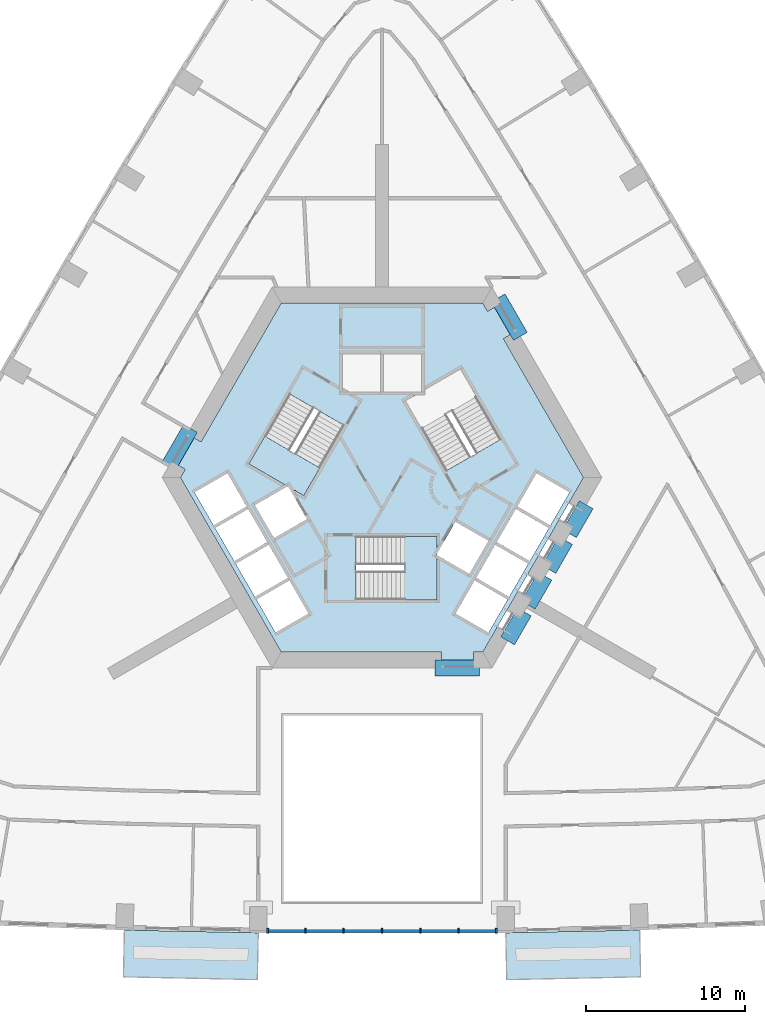
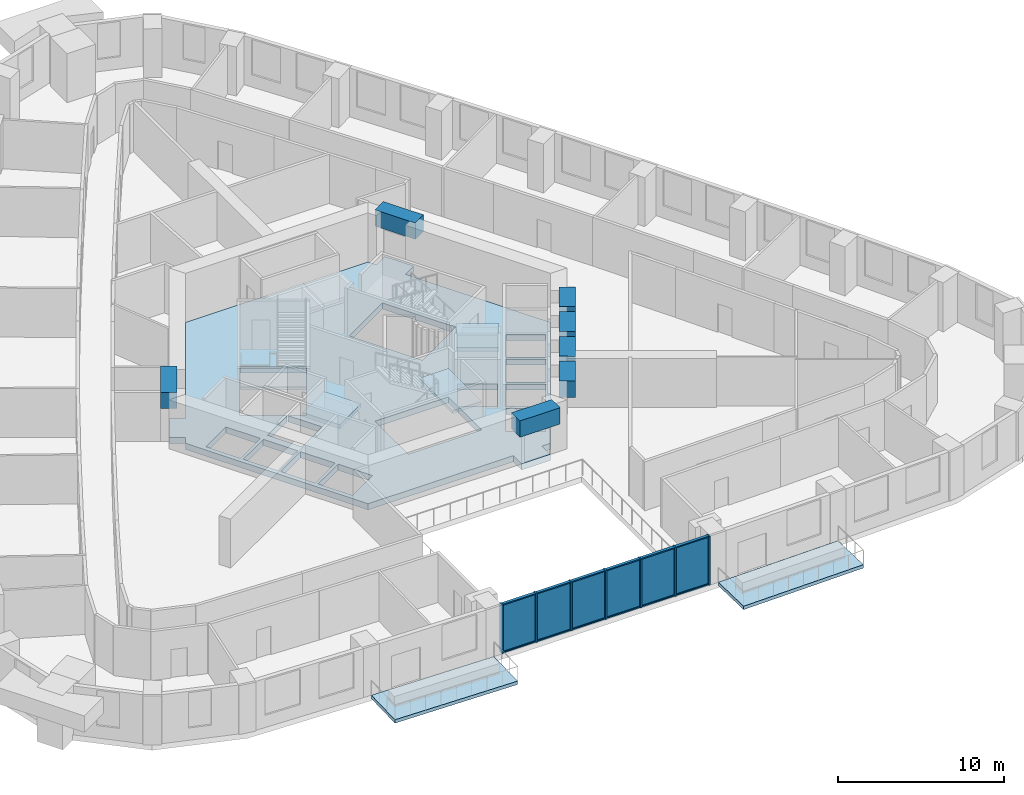
# One storey, part 2 of 14: 19 members, 7 beams, 7 slabs, 6 plates, 3 elements without a shape of their own.
"""IFC4 building model written with IfcOpenShell, lengths in metres."""

from ifc_helpers import new_model, si_unit, direction, frame, origin, origin_2d, place, context, subcontext, project, spatial, polyline, rectangle, outline, extrude, material, layer, layer_set, material_profile, profile_set, type_object, element, aggregate, save


model = new_model("IFC4")

# Units and contexts
model_context = context("Model", 3, precision=1e-05, world=origin(), true_north=direction((0.0, 1.0)))
body_context = subcontext(model_context, "Body", "Model", "MODEL_VIEW")
ifc_project = project(units=[si_unit("LENGTHUNIT", "METRE"), si_unit("AREAUNIT", "SQUARE_METRE"), si_unit("VOLUMEUNIT", "CUBIC_METRE"), si_unit("PLANEANGLEUNIT", "RADIAN"), si_unit("MASSUNIT", "GRAM", prefix="KILO")], contexts=[model_context])

# Site, building, storey
site_placement = place(None, origin())
site = spatial("IfcSite", under=ifc_project, at=site_placement, CompositionType="ELEMENT")
building_placement = place(site_placement, origin())
building = spatial("IfcBuilding", under=site, at=building_placement, Name="Entoto Arch Interchange Tower", CompositionType="ELEMENT")
storey_placement = place(building_placement, frame((0.0, 0.0, 180.199951171875)))
storey = spatial("IfcBuildingStorey", under=building, at=storey_placement, Name="L40", CompositionType="ELEMENT", Elevation=180.199951171875)

# Beams
ifc_material_1 = material(Name="Concrete C50/60", Category="concrete")
ifc_material_profile_1 = material_profile(ifc_material_1, rectangle(XDim=1.0, YDim=1.199951171875, at=origin_2d()))
ifc_profile_set_1 = profile_set([ifc_material_profile_1], Name="Concrete C50/60")
beam_type = type_object("IfcBeamType", Name="Coupling beam RC 1000x1200 C50/60", PredefinedType="BEAM", material=ifc_profile_set_1)
for number, where, z_axis, x_axis, name in (
    (1, (8.717041015625, 11.402099609375, 3.0), (-0.500200581029, 0.865909567298, 0.0), (-0.865909567298, -0.500200581029, 0.0), "Coupling beam NE L40"),
    (2, (-12.06689453125, 5.597900390625, 3.0), (-0.500200581029, -0.865909567298, 0.0), (0.865909567298, -0.500200581029, 0.0), "Coupling beam NW L40"),
):
    element("IfcBeam", number, at=place(storey_placement, frame(where, z_axis=z_axis, x_axis=x_axis)), inside=storey, type_object=beam_type, Name=name, PredefinedType="BEAM", context=body_context, shape_type="SweptSolid", body=[
        extrude(rectangle(XDim=1.0, YDim=1.199951171875, at=origin_2d()), origin(), (0.0, 0.0, 1.0), 2.799072265625),
    ])
beam_1_placement = place(storey_placement, frame((3.35009765625, -9.5, 3.0), z_axis=(1.0, 0.0, 0.0), x_axis=(0.0, 1.0, 0.0)))
element("IfcBeam", 3, at=beam_1_placement, inside=storey, type_object=beam_type, Name="Coupling beam S L40", PredefinedType="BEAM", context=body_context, shape_type="SweptSolid", body=[
    extrude(rectangle(XDim=1.0, YDim=1.199951171875, at=origin_2d()), origin(), (0.0, 0.0, 1.0), 2.7998046875),
])
for number, where, z_axis, x_axis, name in (
    (4, (7.9169921875, -7.785888671875, 3.0), (0.500178781653, 0.865922159541, 0.0), (-0.865922159541, 0.500178781653, 0.0), "Coupling beam SE L40"),
    (5, (9.217041015625, -5.534912109375, 3.0), (0.500178781653, 0.865922159541, 0.0), (-0.865922159541, 0.500178781653, 0.0), "Coupling beam SE L40"),
):
    element("IfcBeam", number, at=place(storey_placement, frame(where, z_axis=z_axis, x_axis=x_axis)), inside=storey, type_object=beam_type, Name=name, PredefinedType="BEAM", context=body_context, shape_type="SweptSolid", body=[
        extrude(rectangle(XDim=1.0, YDim=1.199951171875, at=origin_2d()), origin(), (0.0, 0.0, 1.0), 2.099365234375),
    ])
beam_2_placement = place(storey_placement, frame((10.51708984375, -3.282958984375, 3.0), z_axis=(0.500091574638, 0.865972526687, 0.0), x_axis=(-0.865972526687, 0.500091574638, 0.0)))
element("IfcBeam", 6, at=beam_2_placement, inside=storey, type_object=beam_type, Name="Coupling beam SE L40", PredefinedType="BEAM", context=body_context, shape_type="SweptSolid", body=[
    extrude(rectangle(XDim=1.0, YDim=1.199951171875, at=origin_2d()), origin(), (0.0, 0.0, 1.0), 2.09912109375),
])
beam_3_placement = place(storey_placement, frame((11.81689453125, -1.031982421875, 3.0), z_axis=(0.500178781653, 0.865922159541, 0.0), x_axis=(-0.865922159541, 0.500178781653, 0.0)))
element("IfcBeam", 7, at=beam_3_placement, inside=storey, type_object=beam_type, Name="Coupling beam SE L40", PredefinedType="BEAM", context=body_context, shape_type="SweptSolid", body=[
    extrude(rectangle(XDim=1.0, YDim=1.199951171875, at=origin_2d()), origin(), (0.0, 0.0, 1.0), 2.099365234375),
])

# Curtain wall, members
ifc_material_2 = material(Name="Aluminium, anodised", Category="aluminium")
curtain_wall_type = type_object("IfcCurtainWallType", Name="CURTAIN WALL ATRIUM", PredefinedType="NOTDEFINED", material=ifc_material_2)
curtain_wall_placement = place(storey_placement, origin())
curtain_wall = element("IfcCurtainWall", 8, at=curtain_wall_placement, inside=storey, type_object=curtain_wall_type, Name="Atrium glazing S-03 L40", PredefinedType="NOTDEFINED")
ifc_material_profile_2 = material_profile(ifc_material_2, rectangle(XDim=0.300048828125, YDim=0.10009765625, at=origin_2d()))
ifc_profile_set_2 = profile_set([ifc_material_profile_2], Name="Aluminium, anodised")
member_type_1 = type_object("IfcMemberType", Name="MULLION ATRIUM 100x300", PredefinedType="MULLION", material=ifc_profile_set_2)
member_1_placement = place(storey_placement, frame((-7.198974609375, -26.06396484375, 0.0), z_axis=(0.0, 0.0, 1.0), x_axis=(0.0, 1.0, 0.0)))
member_1 = element("IfcMember", 9, at=member_1_placement, type_object=member_type_1, Name="CWA mullion 1", PredefinedType="MULLION", context=body_context, shape_type="SweptSolid", body=[
    extrude(rectangle(XDim=0.300048828125, YDim=0.10009765625, at=origin_2d()), origin(), (0.0, 0.0, 1.0), 3.60009765625),
])
member_2_placement = place(storey_placement, frame((-4.832763671875, -26.06396484375, 0.0), z_axis=(0.0, 0.0, 1.0), x_axis=(0.0, 1.0, 0.0)))
member_2 = element("IfcMember", 10, at=member_2_placement, type_object=member_type_1, Name="CWA mullion 2", PredefinedType="MULLION", context=body_context, shape_type="SweptSolid", body=[
    extrude(rectangle(XDim=0.300048828125, YDim=0.10009765625, at=origin_2d()), origin(), (0.0, 0.0, 1.0), 3.60009765625),
])
member_3_placement = place(storey_placement, frame((-2.416259765625, -26.06396484375, 0.0), z_axis=(0.0, 0.0, 1.0), x_axis=(0.0, 1.0, 0.0)))
member_3 = element("IfcMember", 11, at=member_3_placement, type_object=member_type_1, Name="CWA mullion 3", PredefinedType="MULLION", context=body_context, shape_type="SweptSolid", body=[
    extrude(rectangle(XDim=0.300048828125, YDim=0.10009765625, at=origin_2d()), origin(), (0.0, 0.0, 1.0), 3.60009765625),
])
member_4_placement = place(storey_placement, frame((0.0, -26.06396484375, 0.0), z_axis=(0.0, 0.0, 1.0), x_axis=(0.0, 1.0, 0.0)))
member_4 = element("IfcMember", 12, at=member_4_placement, type_object=member_type_1, Name="CWA mullion 4", PredefinedType="MULLION", context=body_context, shape_type="SweptSolid", body=[
    extrude(rectangle(XDim=0.300048828125, YDim=0.10009765625, at=origin_2d()), origin(), (0.0, 0.0, 1.0), 3.60009765625),
])
member_5_placement = place(storey_placement, frame((2.416259765625, -26.06396484375, 0.0), z_axis=(0.0, 0.0, 1.0), x_axis=(0.0, 1.0, 0.0)))
member_5 = element("IfcMember", 13, at=member_5_placement, type_object=member_type_1, Name="CWA mullion 5", PredefinedType="MULLION", context=body_context, shape_type="SweptSolid", body=[
    extrude(rectangle(XDim=0.300048828125, YDim=0.10009765625, at=origin_2d()), origin(), (0.0, 0.0, 1.0), 3.60009765625),
])
member_6_placement = place(storey_placement, frame((4.832763671875, -26.06396484375, 0.0), z_axis=(0.0, 0.0, 1.0), x_axis=(0.0, 1.0, 0.0)))
member_6 = element("IfcMember", 14, at=member_6_placement, type_object=member_type_1, Name="CWA mullion 6", PredefinedType="MULLION", context=body_context, shape_type="SweptSolid", body=[
    extrude(rectangle(XDim=0.300048828125, YDim=0.10009765625, at=origin_2d()), origin(), (0.0, 0.0, 1.0), 3.60009765625),
])
member_7_placement = place(storey_placement, frame((7.198974609375, -26.06396484375, 0.0), z_axis=(0.0, 0.0, 1.0), x_axis=(0.0, 1.0, 0.0)))
member_7 = element("IfcMember", 15, at=member_7_placement, type_object=member_type_1, Name="CWA mullion 7", PredefinedType="MULLION", context=body_context, shape_type="SweptSolid", body=[
    extrude(rectangle(XDim=0.300048828125, YDim=0.10009765625, at=origin_2d()), origin(), (0.0, 0.0, 1.0), 3.60009765625),
])
ifc_material_profile_3 = material_profile(ifc_material_2, rectangle(XDim=0.199951171875, YDim=0.080078125, at=origin_2d()))
ifc_profile_set_3 = profile_set([ifc_material_profile_3], Name="Aluminium, anodised")
member_type_2 = type_object("IfcMemberType", Name="TRANSOM ATRIUM 80x200", PredefinedType="USERDEFINED", material=ifc_profile_set_3)
member_8_placement = place(storey_placement, frame((-7.14892578125, -26.06396484375, 0.0400390625), z_axis=(1.0, 0.0, 0.0), x_axis=(0.0, 1.0, 0.0)))
member_8 = element("IfcMember", 16, at=member_8_placement, type_object=member_type_2, Name="CWA transom 1.1", ObjectType="TRANSOM", PredefinedType="USERDEFINED", context=body_context, shape_type="SweptSolid", body=[
    extrude(rectangle(XDim=0.199951171875, YDim=0.080078125, at=origin_2d()), origin(), (0.0, 0.0, 1.0), 2.266357421875),
])
member_9_placement = place(storey_placement, frame((-7.14892578125, -26.06396484375, 3.56005859375), z_axis=(1.0, 0.0, 0.0), x_axis=(0.0, 1.0, 0.0)))
member_9 = element("IfcMember", 17, at=member_9_placement, type_object=member_type_2, Name="CWA transom 1.2", ObjectType="TRANSOM", PredefinedType="USERDEFINED", context=body_context, shape_type="SweptSolid", body=[
    extrude(rectangle(XDim=0.199951171875, YDim=0.080078125, at=origin_2d()), origin(), (0.0, 0.0, 1.0), 2.266357421875),
])
member_10_placement = place(storey_placement, frame((-4.78271484375, -26.06396484375, 0.0400390625), z_axis=(1.0, 0.0, 0.0), x_axis=(0.0, 1.0, 0.0)))
member_10 = element("IfcMember", 18, at=member_10_placement, type_object=member_type_2, Name="CWA transom 2.1", ObjectType="TRANSOM", PredefinedType="USERDEFINED", context=body_context, shape_type="SweptSolid", body=[
    extrude(rectangle(XDim=0.199951171875, YDim=0.080078125, at=origin_2d()), origin(), (0.0, 0.0, 1.0), 2.31640625),
])
member_11_placement = place(storey_placement, frame((-4.78271484375, -26.06396484375, 3.56005859375), z_axis=(1.0, 0.0, 0.0), x_axis=(0.0, 1.0, 0.0)))
member_11 = element("IfcMember", 19, at=member_11_placement, type_object=member_type_2, Name="CWA transom 2.2", ObjectType="TRANSOM", PredefinedType="USERDEFINED", context=body_context, shape_type="SweptSolid", body=[
    extrude(rectangle(XDim=0.199951171875, YDim=0.080078125, at=origin_2d()), origin(), (0.0, 0.0, 1.0), 2.31640625),
])
member_12_placement = place(storey_placement, frame((-2.366455078125, -26.06396484375, 0.0400390625), z_axis=(1.0, 0.0, 0.0), x_axis=(0.0, 1.0, 0.0)))
member_12 = element("IfcMember", 20, at=member_12_placement, type_object=member_type_2, Name="CWA transom 3.1", ObjectType="TRANSOM", PredefinedType="USERDEFINED", context=body_context, shape_type="SweptSolid", body=[
    extrude(rectangle(XDim=0.199951171875, YDim=0.080078125, at=origin_2d()), origin(), (0.0, 0.0, 1.0), 2.31640625),
])
member_13_placement = place(storey_placement, frame((-2.366455078125, -26.06396484375, 3.56005859375), z_axis=(1.0, 0.0, 0.0), x_axis=(0.0, 1.0, 0.0)))
member_13 = element("IfcMember", 21, at=member_13_placement, type_object=member_type_2, Name="CWA transom 3.2", ObjectType="TRANSOM", PredefinedType="USERDEFINED", context=body_context, shape_type="SweptSolid", body=[
    extrude(rectangle(XDim=0.199951171875, YDim=0.080078125, at=origin_2d()), origin(), (0.0, 0.0, 1.0), 2.31640625),
])
member_14_placement = place(storey_placement, frame((0.050048828125, -26.06396484375, 0.0400390625), z_axis=(1.0, 0.0, 0.0), x_axis=(0.0, 1.0, 0.0)))
member_14 = element("IfcMember", 22, at=member_14_placement, type_object=member_type_2, Name="CWA transom 4.1", ObjectType="TRANSOM", PredefinedType="USERDEFINED", context=body_context, shape_type="SweptSolid", body=[
    extrude(rectangle(XDim=0.199951171875, YDim=0.080078125, at=origin_2d()), origin(), (0.0, 0.0, 1.0), 2.31640625),
])
member_15_placement = place(storey_placement, frame((0.050048828125, -26.06396484375, 3.56005859375), z_axis=(1.0, 0.0, 0.0), x_axis=(0.0, 1.0, 0.0)))
member_15 = element("IfcMember", 23, at=member_15_placement, type_object=member_type_2, Name="CWA transom 4.2", ObjectType="TRANSOM", PredefinedType="USERDEFINED", context=body_context, shape_type="SweptSolid", body=[
    extrude(rectangle(XDim=0.199951171875, YDim=0.080078125, at=origin_2d()), origin(), (0.0, 0.0, 1.0), 2.31640625),
])
member_16_placement = place(storey_placement, frame((2.46630859375, -26.06396484375, 0.0400390625), z_axis=(1.0, 0.0, 0.0), x_axis=(0.0, 1.0, 0.0)))
member_16 = element("IfcMember", 24, at=member_16_placement, type_object=member_type_2, Name="CWA transom 5.1", ObjectType="TRANSOM", PredefinedType="USERDEFINED", context=body_context, shape_type="SweptSolid", body=[
    extrude(rectangle(XDim=0.199951171875, YDim=0.080078125, at=origin_2d()), origin(), (0.0, 0.0, 1.0), 2.31640625),
])
member_17_placement = place(storey_placement, frame((2.46630859375, -26.06396484375, 3.56005859375), z_axis=(1.0, 0.0, 0.0), x_axis=(0.0, 1.0, 0.0)))
member_17 = element("IfcMember", 25, at=member_17_placement, type_object=member_type_2, Name="CWA transom 5.2", ObjectType="TRANSOM", PredefinedType="USERDEFINED", context=body_context, shape_type="SweptSolid", body=[
    extrude(rectangle(XDim=0.199951171875, YDim=0.080078125, at=origin_2d()), origin(), (0.0, 0.0, 1.0), 2.31640625),
])
member_18_placement = place(storey_placement, frame((4.882568359375, -26.06396484375, 0.0400390625), z_axis=(1.0, 0.0, 0.0), x_axis=(0.0, 1.0, 0.0)))
member_18 = element("IfcMember", 26, at=member_18_placement, type_object=member_type_2, Name="CWA transom 6.1", ObjectType="TRANSOM", PredefinedType="USERDEFINED", context=body_context, shape_type="SweptSolid", body=[
    extrude(rectangle(XDim=0.199951171875, YDim=0.080078125, at=origin_2d()), origin(), (0.0, 0.0, 1.0), 2.266357421875),
])
member_19_placement = place(storey_placement, frame((4.882568359375, -26.06396484375, 3.56005859375), z_axis=(1.0, 0.0, 0.0), x_axis=(0.0, 1.0, 0.0)))
member_19 = element("IfcMember", 27, at=member_19_placement, type_object=member_type_2, Name="CWA transom 6.2", ObjectType="TRANSOM", PredefinedType="USERDEFINED", context=body_context, shape_type="SweptSolid", body=[
    extrude(rectangle(XDim=0.199951171875, YDim=0.080078125, at=origin_2d()), origin(), (0.0, 0.0, 1.0), 2.266357421875),
])

# Slabs
ifc_material_3 = material(Name="Board-marked precast concrete C50/60", Category="concrete")
ifc_layer_1 = layer(ifc_material_3, 0.25)
ifc_layer_set_1 = layer_set([ifc_layer_1], Name="Board-marked precast concrete C50/60")
slab_type_1 = type_object("IfcSlabType", Name="BALCONY DECK PRECAST 250", PredefinedType="FLOOR", material=ifc_layer_set_1)
slab_1_placement = place(storey_placement, frame((0.0, 0.0, -0.25)))
element("IfcSlab", 28, at=slab_1_placement, inside=storey, type_object=slab_type_1, Name="Planted balcony S-02 L40", PredefinedType="FLOOR", context=body_context, shape_type="SweptSolid", body=[
    extrude(outline(polyline([(-16.23388671875, -26.012939453125), (-7.800048828125, -26.18896484375), (-7.862060546875, -29.137939453125), (-16.2958984375, -28.9619140625), (-16.23388671875, -26.012939453125)])), origin(), (0.0, 0.0, 1.0), 0.25),
])
slab_2_placement = place(storey_placement, frame((0.0, 0.0, -0.25)))
element("IfcSlab", 29, at=slab_2_placement, inside=storey, type_object=slab_type_1, Name="Planted balcony S-04 L40", PredefinedType="FLOOR", context=body_context, shape_type="SweptSolid", body=[
    extrude(outline(polyline([(7.800048828125, -26.18896484375), (16.23388671875, -26.012939453125), (16.2958984375, -28.9619140625), (7.862060546875, -29.137939453125), (7.800048828125, -26.18896484375)])), origin(), (0.0, 0.0, 1.0), 0.25),
])
ifc_material_4 = material(Name="Concrete C40/50", Category="concrete")
ifc_layer_2 = layer(ifc_material_4, 0.449951171875)
ifc_layer_set_2 = layer_set([ifc_layer_2], Name="Concrete C40/50")
slab_type_2 = type_object("IfcSlabType", Name="Core floor slab 450 C40/50", PredefinedType="FLOOR", material=ifc_layer_set_2)
slab_3_placement = place(storey_placement, frame((0.0, 0.0, -0.449951171875)))
element("IfcSlab", 30, at=slab_3_placement, inside=storey, type_object=slab_type_2, Name="Core floor slab L40", PredefinedType="FLOOR", context=body_context, shape_type="SweptSolid", body=[
    extrude(outline(polyline([(5.75, -9.5), (3.75, -9.5), (3.75, -8.5), (-6.35107421875, -8.5), (-12.701904296875, 2.5), (-12.402099609375, 3.02001953125), (-13.26708984375, 3.52001953125), (-12.26708984375, 5.251953125), (-11.402099609375, 4.751953125), (-6.35107421875, 13.5), (6.35107421875, 13.5), (6.65087890625, 12.97998046875), (7.51708984375, 13.47998046875), (8.51708984375, 11.748046875), (7.65087890625, 11.248046875), (12.701904296875, 2.5), (6.35107421875, -8.5), (5.75, -8.5), (5.75, -9.5)]), holes=[polyline([(-5.837890625, -3.988037109375), (-7.916015625, -5.18798828125), (-6.716064453125, -7.26708984375), (-4.637939453125, -6.06689453125), (-5.837890625, -3.988037109375)]), polyline([(-5.93798828125, -3.81494140625), (-7.137939453125, -1.737060546875), (-9.216064453125, -2.93701171875), (-8.01611328125, -5.014892578125), (-5.93798828125, -3.81494140625)]), polyline([(5.5048828125, -3.56494140625), (6.705078125, -1.487060546875), (4.626953125, -0.287109375), (3.449951171875, -2.324951171875), (3.449951171875, -1.199951171875), (-1.64990234375, -1.199951171875), (-1.64990234375, -5.199951171875), (3.449951171875, -5.199951171875), (3.449951171875, -2.3779296875), (5.5048828125, -3.56494140625)]), polyline([(-8.43798828125, 0.514892578125), (-10.51611328125, -0.68505859375), (-9.31591796875, -2.762939453125), (-7.238037109375, -1.56298828125), (-8.43798828125, 0.514892578125)]), polyline([(-4.72705078125, -0.113037109375), (-5.904052734375, 1.925048828125), (-4.928955078125, 1.362060546875), (-2.37890625, 5.779052734375), (-5.843017578125, 7.779052734375), (-8.39306640625, 3.362060546875), (-5.949951171875, 1.951904296875), (-8.0048828125, 0.764892578125), (-6.804931640625, -1.31298828125), (-4.72705078125, -0.113037109375)]), polyline([(-8.5380859375, 0.68798828125), (-9.738037109375, 2.76708984375), (-11.81591796875, 1.56689453125), (-10.615966796875, -0.511962890625), (-8.5380859375, 0.68798828125)]), polyline([(5.837890625, -3.988037109375), (4.637939453125, -6.06689453125), (6.716064453125, -7.26708984375), (7.916015625, -5.18798828125), (5.837890625, -3.988037109375)]), polyline([(7.137939453125, -1.737060546875), (5.93798828125, -3.81494140625), (8.01611328125, -5.014892578125), (9.216064453125, -2.93701171875), (7.137939453125, -1.737060546875)]), polyline([(8.43798828125, 0.514892578125), (7.238037109375, -1.56298828125), (9.31591796875, -2.762939453125), (10.51611328125, -0.68505859375), (8.43798828125, 0.514892578125)]), polyline([(9.738037109375, 2.76708984375), (8.5380859375, 0.68798828125), (10.615966796875, -0.511962890625), (11.81591796875, 1.56689453125), (9.738037109375, 2.76708984375)]), polyline([(4.029052734375, 2.9208984375), (7.492919921875, 4.9208984375), (4.943115234375, 9.337890625), (1.47900390625, 7.337890625), (4.029052734375, 2.9208984375)])]), origin(), (0.0, 0.0, 1.0), 0.449951171875),
])

# Stair, slab
stair_type = type_object("IfcStairType", Name="EXIT STAIR RC 1800", PredefinedType="HALF_TURN_STAIR", material=ifc_material_4)
stair_1_placement = place(storey_placement, origin())
stair_1 = element("IfcStair", 31, at=stair_1_placement, inside=storey, type_object=stair_type, Name="L40 Exit stair S", PredefinedType="HALF_TURN_STAIR")
ifc_layer_3 = layer(ifc_material_4, 0.199951171875)
ifc_layer_set_3 = layer_set([ifc_layer_3], Name="Concrete C40/50")
slab_type_3 = type_object("IfcSlabType", Name="EXIT STAIR LANDING RC 200", PredefinedType="LANDING", material=ifc_layer_set_3)
slab_4_placement = place(storey_placement, frame((0.0, 0.0, 1.900146484375)))
slab_4 = element("IfcSlab", 32, at=slab_4_placement, type_object=slab_type_3, Name="ST-S landing 1", PredefinedType="LANDING", context=body_context, shape_type="SweptSolid", body=[
    extrude(outline(polyline([(1.429931640625, -5.199951171875), (3.449951171875, -5.199951171875), (3.449951171875, -1.199951171875), (1.429931640625, -1.199951171875), (1.429931640625, -5.199951171875)])), origin(), (0.0, 0.0, 1.0), 0.199951171875),
])
aggregate(stair_1, [slab_4])

stair_2_placement = place(storey_placement, origin())
stair_2 = element("IfcStair", 33, at=stair_2_placement, inside=storey, type_object=stair_type, Name="L40 Exit stair NW", PredefinedType="HALF_TURN_STAIR")
slab_5_placement = place(storey_placement, frame((0.0, 0.0, 1.900146484375)))
slab_5 = element("IfcSlab", 34, at=slab_5_placement, type_object=slab_type_3, Name="ST-NW landing 1", PredefinedType="LANDING", context=body_context, shape_type="SweptSolid", body=[
    extrude(outline(polyline([(-7.38330078125, 5.111572265625), (-8.393310546875, 3.3623046875), (-4.92919921875, 1.3623046875), (-3.919189453125, 3.111572265625), (-7.38330078125, 5.111572265625)])), origin(), (0.0, 0.0, 1.0), 0.199951171875),
])
aggregate(stair_2, [slab_5])

# Plate
ifc_material_5 = material(Name="Clear glass, low-e double glazed", Category="glass")
ifc_layer_4 = layer(ifc_material_5, 0.031982421875)
ifc_layer_set_4 = layer_set([ifc_layer_4], Name="Clear glass, low-e double glazed")
plate_type = type_object("IfcPlateType", Name="GLAZING PANEL ATRIUM 32", PredefinedType="CURTAIN_PANEL", material=ifc_layer_set_4)
plate_1_placement = place(storey_placement, frame((-6.015869140625, -26.06396484375, 0.080078125), z_axis=(0.0, 0.0, 1.0), x_axis=(1.0, 0.0, 0.0)))
plate_1 = element("IfcPlate", 35, at=plate_1_placement, type_object=plate_type, Name="CWA panel 1.1", PredefinedType="CURTAIN_PANEL", context=body_context, shape_type="SweptSolid", body=[
    extrude(rectangle(XDim=2.266357421875, YDim=0.031982421875, at=origin_2d()), origin(), (0.0, 0.0, 1.0), 3.43994140625),
])

plate_2_placement = place(storey_placement, frame((-3.62451171875, -26.06396484375, 0.080078125), z_axis=(0.0, 0.0, 1.0), x_axis=(1.0, 0.0, 0.0)))
plate_2 = element("IfcPlate", 36, at=plate_2_placement, type_object=plate_type, Name="CWA panel 2.1", PredefinedType="CURTAIN_PANEL", context=body_context, shape_type="SweptSolid", body=[
    extrude(rectangle(XDim=2.31640625, YDim=0.031982421875, at=origin_2d()), origin(), (0.0, 0.0, 1.0), 3.43994140625),
])

plate_3_placement = place(storey_placement, frame((-1.208251953125, -26.06396484375, 0.080078125), z_axis=(0.0, 0.0, 1.0), x_axis=(1.0, 0.0, 0.0)))
plate_3 = element("IfcPlate", 37, at=plate_3_placement, type_object=plate_type, Name="CWA panel 3.1", PredefinedType="CURTAIN_PANEL", context=body_context, shape_type="SweptSolid", body=[
    extrude(rectangle(XDim=2.31640625, YDim=0.031982421875, at=origin_2d()), origin(), (0.0, 0.0, 1.0), 3.43994140625),
])

plate_4_placement = place(storey_placement, frame((1.208251953125, -26.06396484375, 0.080078125), z_axis=(0.0, 0.0, 1.0), x_axis=(1.0, 0.0, 0.0)))
plate_4 = element("IfcPlate", 38, at=plate_4_placement, type_object=plate_type, Name="CWA panel 4.1", PredefinedType="CURTAIN_PANEL", context=body_context, shape_type="SweptSolid", body=[
    extrude(rectangle(XDim=2.31640625, YDim=0.031982421875, at=origin_2d()), origin(), (0.0, 0.0, 1.0), 3.43994140625),
])

plate_5_placement = place(storey_placement, frame((3.62451171875, -26.06396484375, 0.080078125), z_axis=(0.0, 0.0, 1.0), x_axis=(1.0, 0.0, 0.0)))
plate_5 = element("IfcPlate", 39, at=plate_5_placement, type_object=plate_type, Name="CWA panel 5.1", PredefinedType="CURTAIN_PANEL", context=body_context, shape_type="SweptSolid", body=[
    extrude(rectangle(XDim=2.31640625, YDim=0.031982421875, at=origin_2d()), origin(), (0.0, 0.0, 1.0), 3.43994140625),
])

plate_6_placement = place(storey_placement, frame((6.015869140625, -26.06396484375, 0.080078125), z_axis=(0.0, 0.0, 1.0), x_axis=(1.0, 0.0, 0.0)))
plate_6 = element("IfcPlate", 40, at=plate_6_placement, type_object=plate_type, Name="CWA panel 6.1", PredefinedType="CURTAIN_PANEL", context=body_context, shape_type="SweptSolid", body=[
    extrude(rectangle(XDim=2.266357421875, YDim=0.031982421875, at=origin_2d()), origin(), (0.0, 0.0, 1.0), 3.43994140625),
])

aggregate(curtain_wall, [member_1, member_2, member_3, member_4, member_5, member_6, member_7, member_8, member_9, plate_1, member_10, member_11, plate_2, member_12, member_13, plate_3, member_14, member_15, plate_4, member_16, member_17, plate_5, member_18, member_19, plate_6])

# Slabs
ifc_layer_5 = layer(ifc_material_4, 0.300048828125)
ifc_layer_set_5 = layer_set([ifc_layer_5], Name="Concrete C40/50")
slab_type_4 = type_object("IfcSlabType", Name="LIFT PIT SLAB 300", PredefinedType="BASESLAB", material=ifc_layer_set_5)
slab_6_placement = place(storey_placement, frame((0.0, 0.0, 2.300048828125)))
element("IfcSlab", 41, at=slab_6_placement, inside=storey, type_object=slab_type_4, Name="Lift pit slab HR3", PredefinedType="BASESLAB", context=body_context, shape_type="SweptSolid", body=[
    extrude(outline(polyline([(4.60400390625, -0.14599609375), (5.89404296875, 2.087890625), (8.1279296875, 0.798095703125), (6.837890625, -1.43603515625), (4.60400390625, -0.14599609375)])), origin(), (0.0, 0.0, 1.0), 0.300048828125),
])
slab_7_placement = place(storey_placement, frame((0.0, 0.0, 2.300048828125)))
element("IfcSlab", 42, at=slab_7_placement, inside=storey, type_object=slab_type_4, Name="Lift pit slab HR4", PredefinedType="BASESLAB", context=body_context, shape_type="SweptSolid", body=[
    extrude(outline(polyline([(-4.593994140625, -0.1640625), (-3.303955078125, -2.39794921875), (-5.5380859375, -3.68798828125), (-6.827880859375, -1.4541015625), (-4.593994140625, -0.1640625)])), origin(), (0.0, 0.0, 1.0), 0.300048828125),
])

save(model, "model.ifc")
